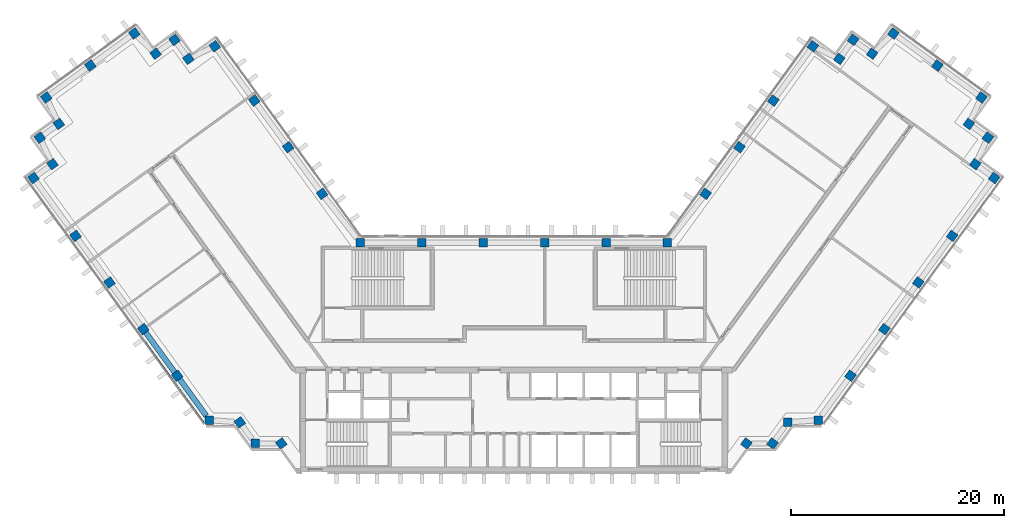
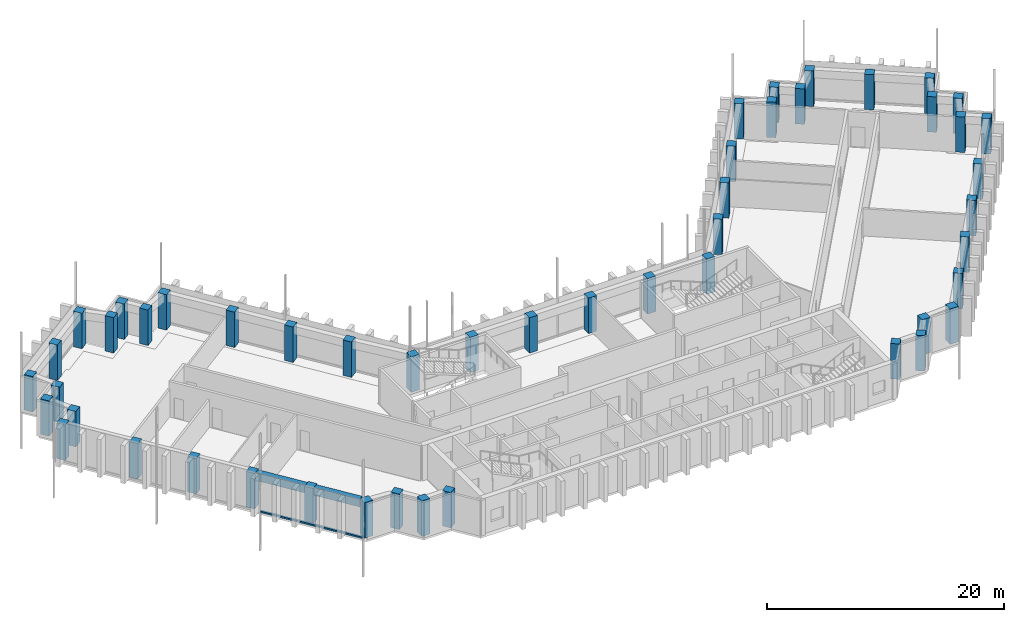
# One storey, part 1 of 13: 50 columns, 2 beams, 1 member, 1 element without a shape of its own.
"""IFC4 building model written with IfcOpenShell, lengths in metres."""

from ifc_helpers import new_model, si_unit, direction, frame, origin, origin_2d, place, context, subcontext, project, spatial, rectangle, extrude, material, material_profile, profile_set, type_object, element, aggregate, save


model = new_model("IFC4")

# Units and contexts
model_context = context("Model", 3, precision=1e-05, world=origin(), true_north=direction((0.0, 1.0)))
body_context = subcontext(model_context, "Body", "Model", "MODEL_VIEW")
ifc_project = project(units=[si_unit("LENGTHUNIT", "METRE"), si_unit("AREAUNIT", "SQUARE_METRE"), si_unit("VOLUMEUNIT", "CUBIC_METRE"), si_unit("PLANEANGLEUNIT", "RADIAN"), si_unit("MASSUNIT", "GRAM", prefix="KILO")], contexts=[model_context])

# Site, building, storey
site_placement = place(None, origin())
site = spatial("IfcSite", under=ifc_project, at=site_placement, CompositionType="ELEMENT")
building_placement = place(site_placement, origin())
building = spatial("IfcBuilding", under=site, at=building_placement, Name="Quipu Civic Tower", CompositionType="ELEMENT")
storey_placement = place(building_placement, frame((0.0, 0.0, 172.0)))
storey = spatial("IfcBuildingStorey", under=building, at=storey_placement, Name="L40", CompositionType="ELEMENT", Elevation=172.0)

# Columns
ifc_material_1 = material(Name="Concrete C60/75", Category="concrete")
ifc_material_profile_1 = material_profile(ifc_material_1, rectangle(XDim=0.800048828125, YDim=0.800048828125, at=origin_2d()), Name="RC800x800")
ifc_profile_set_1 = profile_set([ifc_material_profile_1], Name="Concrete C60/75")
column_type = type_object("IfcColumnType", Name="Perimeter column RC 800x800 C60/75", PredefinedType="COLUMN", material=ifc_profile_set_1)
for number, where, z_axis, x_axis, name in (
    (1, (-17.9736328125, 15.074951171875, 0.0), (0.0, 0.0, 1.0), (-0.587785252292, 0.809016994375, 0.0), "Column L40 W-IN-01"),
    (2, (-21.1474609375, 19.44384765625, 0.0), (0.0, 0.0, 1.0), (-0.587785252292, 0.809016994375, 0.0), "Column L40 W-IN-02"),
    (3, (-24.3212890625, 23.8125, 0.0), (0.0, 0.0, 1.0), (-0.587785252292, 0.809016994375, 0.0), "Column L40 W-IN-03"),
    (4, (-28.02001953125, 28.905029296875, 0.0), (0.0, 0.0, 1.0), (-0.809016994375, -0.587785252292, 0.0), "Column L40 T-Wi.0-W34"),
    (5, (-30.498779296875, 27.72265625, 0.0), (0.0, 0.0, 1.0), (-0.809016994375, -0.587785252292, 0.0), "Column L40 T-Wi.1-W34"),
    (6, (-31.794921875, 29.5, 0.0), (0.0, 0.0, 1.0), (-0.587785252292, 0.809016994375, 0.0), "Column L40 T-Wi.2-W34"),
    (7, (-33.573974609375, 28.20947265625, 0.0), (0.0, 0.0, 1.0), (-0.587785252292, 0.809016994375, 0.0), "Column L40 T-Wi.3-W34"),
    (8, (-35.56494140625, 30.10009765625, 0.0), (0.0, 0.0, 1.0), (-0.809016994375, -0.587785252292, 0.0), "Column L40 T-Wi.4-W34"),
    (9, (-39.690673828125, 27.10205078125, 0.0), (0.0, 0.0, 1.0), (-0.809016994375, -0.587785252292, 0.0), "Column L40 TIP-W-01-W34"),
    (10, (-43.81494140625, 24.10498046875, 0.0), (0.0, 0.0, 1.0), (-0.809016994375, -0.587785252292, 0.0), "Column L40 T-Wo.0-W34"),
    (11, (-42.635009765625, 21.626220703125, 0.0), (0.0, 0.0, 1.0), (-0.809016994375, -0.587785252292, 0.0), "Column L40 T-Wo.1-W34"),
    (12, (-44.4150390625, 20.3349609375, 0.0), (0.0, 0.0, 1.0), (0.587785252292, -0.809016994375, 0.0), "Column L40 T-Wo.2-W34"),
    (13, (-43.23095703125, 17.8544921875, 0.0), (0.0, 0.0, 1.0), (0.587785252292, -0.809016994375, 0.0), "Column L40 T-Wo.3-W34"),
    (14, (-45.010009765625, 16.56005859375, 0.0), (0.0, 0.0, 1.0), (0.587785252292, -0.809016994375, 0.0), "Column L40 T-Wo.4-W34"),
    (15, (-41.0703125, 11.137451171875, 0.0), (0.0, 0.0, 1.0), (0.587785252292, -0.809016994375, 0.0), "Column L40 W-OUT-04"),
    (16, (-37.896240234375, 6.768798828125, 0.0), (0.0, 0.0, 1.0), (0.587785252292, -0.809016994375, 0.0), "Column L40 W-OUT-03"),
    (17, (-34.722412109375, 2.39990234375, 0.0), (0.0, 0.0, 1.0), (0.587785252292, -0.809016994375, 0.0), "Column L40 W-OUT-02"),
    (18, (-31.54833984375, -1.96875, 0.0), (0.0, 0.0, 1.0), (0.587785252292, -0.809016994375, 0.0), "Column L40 W-OUT-01"),
    (19, (-28.52490234375, -6.1298828125, 0.0), (0.0, 0.0, 1.0), (1.0, 0.0, 0.0), "Column L40 J-Wo.0"),
    (20, (-25.67431640625, -6.3369140625, 0.0), (0.0, 0.0, 1.0), (0.587785252292, -0.809016994375, 0.0), "Column L40 J-Wo.1"),
    (21, (-24.235107421875, -8.31494140625, 0.0), (0.0, 0.0, 1.0), (1.0, 0.0, 0.0), "Column L40 J-Wo.2"),
    (22, (-21.791748046875, -8.31494140625, 0.0), (0.0, 0.0, 1.0), (0.587785252292, -0.809016994375, 0.0), "Column L40 J-Wo.3"),
    (23, (21.791748046875, -8.31494140625, 0.0), (0.0, 0.0, 1.0), (0.587785252292, 0.809016994375, 0.0), "Column L40 J-Eo.1"),
    (24, (24.235107421875, -8.31494140625, 0.0), (0.0, 0.0, 1.0), (0.587785252292, 0.809016994375, 0.0), "Column L40 J-Eo.2"),
    (25, (25.67431640625, -6.3369140625, 0.0), (0.0, 0.0, 1.0), (1.0, 0.0, 0.0), "Column L40 J-Eo.3"),
    (26, (28.52490234375, -6.1298828125, 0.0), (0.0, 0.0, 1.0), (1.0, 0.0, 0.0), "Column L40 J-Eo.4"),
    (27, (31.54833984375, -1.96875, 0.0), (0.0, 0.0, 1.0), (0.587785252292, 0.809016994375, 0.0), "Column L40 E-OUT-01"),
    (28, (34.722412109375, 2.39990234375, 0.0), (0.0, 0.0, 1.0), (0.587785252292, 0.809016994375, 0.0), "Column L40 E-OUT-02"),
    (29, (37.896240234375, 6.768798828125, 0.0), (0.0, 0.0, 1.0), (0.587785252292, 0.809016994375, 0.0), "Column L40 E-OUT-03"),
    (30, (41.0703125, 11.137451171875, 0.0), (0.0, 0.0, 1.0), (0.587785252292, 0.809016994375, 0.0), "Column L40 E-OUT-04"),
    (31, (45.010009765625, 16.56005859375, 0.0), (0.0, 0.0, 1.0), (0.587785252292, 0.809016994375, 0.0), "Column L40 T-Eo.0-E34"),
    (32, (43.23095703125, 17.8544921875, 0.0), (0.0, 0.0, 1.0), (0.587785252292, 0.809016994375, 0.0), "Column L40 T-Eo.1-E34"),
    (33, (44.4150390625, 20.3349609375, 0.0), (0.0, 0.0, 1.0), (0.587785252292, 0.809016994375, 0.0), "Column L40 T-Eo.2-E34"),
    (34, (42.635009765625, 21.626220703125, 0.0), (0.0, 0.0, 1.0), (-0.809016994375, 0.587785252292, 0.0), "Column L40 T-Eo.3-E34"),
    (35, (43.81494140625, 24.10498046875, 0.0), (0.0, 0.0, 1.0), (-0.809016994375, 0.587785252292, 0.0), "Column L40 T-Eo.4-E34"),
    (36, (39.690673828125, 27.10205078125, 0.0), (0.0, 0.0, 1.0), (-0.809016994375, 0.587785252292, 0.0), "Column L40 TIP-E-01-E34"),
    (37, (35.56494140625, 30.10009765625, 0.0), (0.0, 0.0, 1.0), (-0.587785252292, -0.809016994375, 0.0), "Column L40 T-Ei.0-E34"),
    (38, (33.573974609375, 28.20947265625, 0.0), (0.0, 0.0, 1.0), (-0.809016994375, 0.587785252292, 0.0), "Column L40 T-Ei.1-E34"),
    (39, (31.794921875, 29.5, 0.0), (0.0, 0.0, 1.0), (-0.587785252292, -0.809016994375, 0.0), "Column L40 T-Ei.2-E34"),
    (40, (30.498779296875, 27.72265625, 0.0), (0.0, 0.0, 1.0), (-0.809016994375, 0.587785252292, 0.0), "Column L40 T-Ei.3-E34"),
    (41, (28.02001953125, 28.905029296875, 0.0), (0.0, 0.0, 1.0), (-0.809016994375, 0.587785252292, 0.0), "Column L40 T-Ei.4-E34"),
    (42, (24.3212890625, 23.8125, 0.0), (0.0, 0.0, 1.0), (-0.587785252292, -0.809016994375, 0.0), "Column L40 E-IN-03"),
    (43, (21.1474609375, 19.44384765625, 0.0), (0.0, 0.0, 1.0), (-0.587785252292, -0.809016994375, 0.0), "Column L40 E-IN-02"),
    (44, (17.9736328125, 15.074951171875, 0.0), (0.0, 0.0, 1.0), (-0.587785252292, -0.809016994375, 0.0), "Column L40 E-IN-01"),
    (45, (14.395263671875, 10.5, 0.0), (0.0, 0.0, 1.0), (-1.0, 0.0, 0.0), "Column L40 J-Ei.0"),
    (46, (8.63720703125, 10.5, 0.0), (0.0, 0.0, 1.0), (-1.0, 0.0, 0.0), "Column L40 FRONT-01"),
    (47, (2.87890625, 10.5, 0.0), (0.0, 0.0, 1.0), (-1.0, 0.0, 0.0), "Column L40 FRONT-02"),
    (48, (-2.87890625, 10.5, 0.0), (0.0, 0.0, 1.0), (-1.0, 0.0, 0.0), "Column L40 FRONT-03"),
    (49, (-8.63720703125, 10.5, 0.0), (0.0, 0.0, 1.0), (-1.0, 0.0, 0.0), "Column L40 FRONT-04"),
    (50, (-14.395263671875, 10.5, 0.0), (0.0, 0.0, 1.0), (-1.0, 0.0, 0.0), "Column L40 J-Wi.0"),
):
    element("IfcColumn", number, at=place(storey_placement, frame(where, z_axis=z_axis, x_axis=x_axis)), inside=storey, type_object=column_type, Name=name, PredefinedType="COLUMN", context=body_context, shape_type="SweptSolid", body=[
        extrude(rectangle(XDim=0.800048828125, YDim=0.800048828125, at=origin_2d()), origin(), (0.0, 0.0, 1.0), 3.64990234375),
    ])

# Beams
ifc_material_2 = material(Name="Concrete C50/60", Category="concrete")
ifc_material_profile_2 = material_profile(ifc_material_2, rectangle(XDim=0.5, YDim=0.800048828125, at=origin_2d()), Name="RC500x800")
ifc_profile_set_2 = profile_set([ifc_material_profile_2], Name="Concrete C50/60")
beam_type = type_object("IfcBeamType", Name="Spandrel beam RC 500x800 C50/60", PredefinedType="SPANDREL", material=ifc_profile_set_2)
beam_1_placement = place(storey_placement, frame((-34.4873046875, 2.076416015625, 3.25), z_axis=(0.587796098864, -0.809009113768, 0.0), x_axis=(0.809009113768, 0.587796098864, 0.0)))
element("IfcBeam", 51, at=beam_1_placement, inside=storey, type_object=beam_type, Name="Spandrel beam L40 W-OUT-02 to W-OUT-01", PredefinedType="SPANDREL", context=body_context, shape_type="SweptSolid", body=[
    extrude(rectangle(XDim=0.5, YDim=0.800048828125, at=origin_2d()), origin(), (0.0, 0.0, 1.0), 4.60009765625),
])
beam_2_placement = place(storey_placement, frame((-31.313232421875, -2.292236328125, 3.25), z_axis=(0.58776850526, -0.809029161541, 0.0), x_axis=(0.809029161541, 0.58776850526, 0.0)))
element("IfcBeam", 52, at=beam_2_placement, inside=storey, type_object=beam_type, Name="Spandrel beam L40 W-OUT-01 to J-Wo.0", PredefinedType="SPANDREL", context=body_context, shape_type="SweptSolid", body=[
    extrude(rectangle(XDim=0.5, YDim=0.800048828125, at=origin_2d()), origin(), (0.0, 0.0, 1.0), 4.249267578125),
])

# Curtain wall, member
ifc_material_3 = material(Name="Insulated glass unit", Category="glass")
curtain_wall_type = type_object("IfcCurtainWallType", Name="Office curtain wall CW1", PredefinedType="NOTDEFINED", material=ifc_material_3)
curtain_wall_placement = place(storey_placement, origin())
curtain_wall = element("IfcCurtainWall", 53, at=curtain_wall_placement, inside=storey, type_object=curtain_wall_type, Name="Office curtain wall CW1 L39 run 8", PredefinedType="NOTDEFINED")
ifc_material_4 = material(Name="Anodised aluminium", Category="aluminium")
ifc_material_profile_3 = material_profile(ifc_material_4, rectangle(XDim=0.199951171875, YDim=0.159912109375, at=origin_2d()), Name="RECT 200x160")
ifc_profile_set_3 = profile_set([ifc_material_profile_3], Name="Anodised aluminium")
member_type = type_object("IfcMemberType", Name="Transom CW1", PredefinedType="USERDEFINED", material=ifc_profile_set_3)
member_placement = place(storey_placement, frame((-34.596923828125, 1.20654296875, 0.080078125), z_axis=(0.587783783239, -0.809018061703, 0.0), x_axis=(0.809018061703, 0.587783783239, 0.0)))
member = element("IfcMember", 54, at=member_placement, type_object=member_type, Name="CW1 transom 3.2", ObjectType="TRANSOM", PredefinedType="USERDEFINED", context=body_context, shape_type="SweptSolid", body=[
    extrude(rectangle(XDim=0.199951171875, YDim=0.159912109375, at=origin_2d()), origin(), (0.0, 0.0, 1.0), 9.431884765625),
])
aggregate(curtain_wall, [member])

save(model, "model.ifc")
